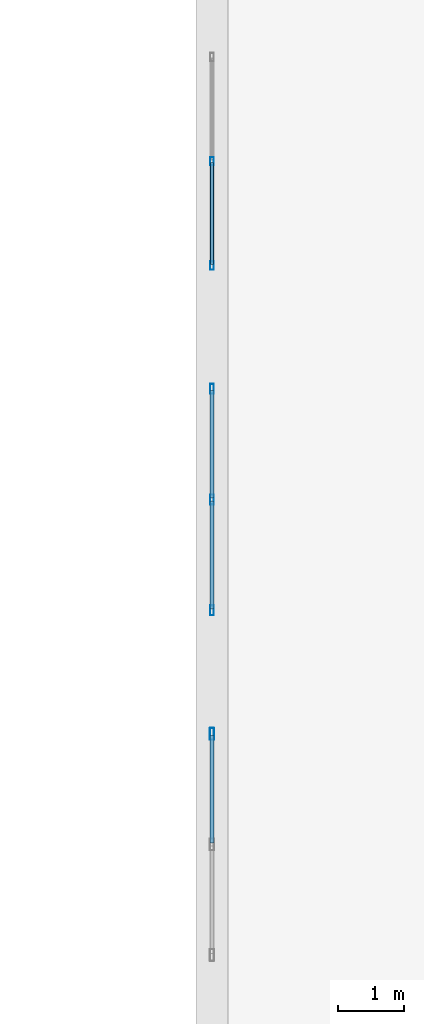
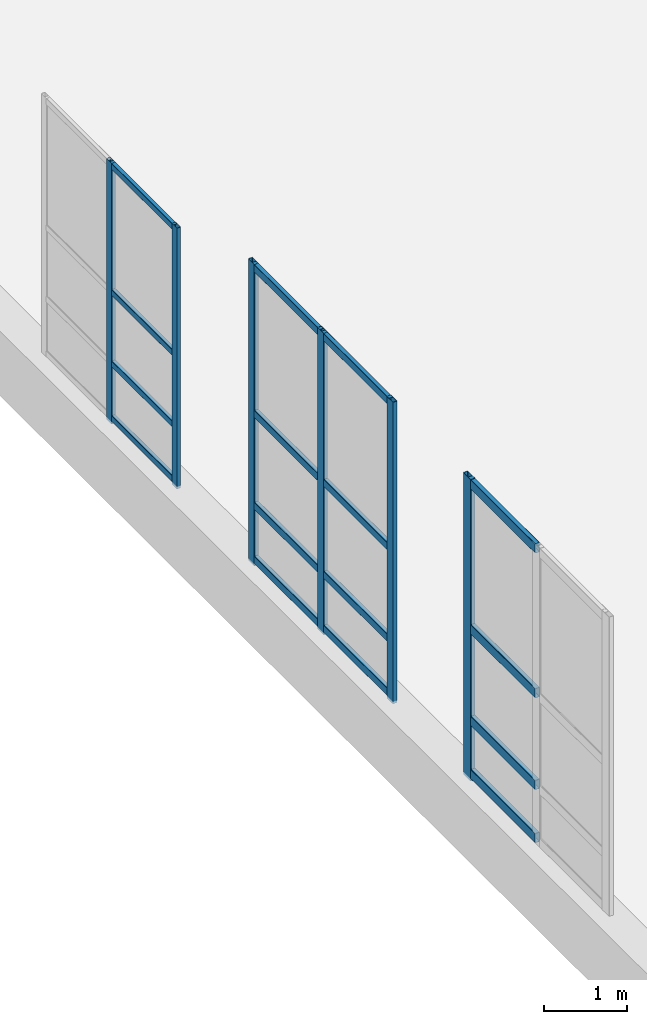
# One storey, part 13 of 197: 22 members, 3 elements without a shape of their own.
"""IFC4 building model written with IfcOpenShell, lengths in metres."""

from ifc_helpers import new_model, si_unit, derived_unit, direction, frame, origin, origin_2d, place, context, subcontext, project, spatial, hollow_rectangle, extrude, material, layer, layer_set, material_profile, profile_set, type_object, element, aggregate, save


model = new_model("IFC4")

# Units and contexts
model_context = context("Model", 3, precision=1e-05, world=origin(), true_north=direction((0.0, 1.0)))
body_context = subcontext(model_context, "Body", "Model", "MODEL_VIEW")
ifc_project = project(units=[si_unit("LENGTHUNIT", "METRE"), si_unit("AREAUNIT", "SQUARE_METRE"), si_unit("VOLUMEUNIT", "CUBIC_METRE"), si_unit("PLANEANGLEUNIT", "RADIAN"), si_unit("MASSUNIT", "GRAM", prefix="KILO"), derived_unit("THERMALTRANSMITTANCEUNIT", [(si_unit("POWERUNIT", "WATT"), 1), (si_unit("LENGTHUNIT", "METRE"), -2), (si_unit("THERMODYNAMICTEMPERATUREUNIT", "KELVIN"), -1)])], contexts=[model_context])

# Site, building, storey
site_placement = place(None, origin())
site = spatial("IfcSite", under=ifc_project, at=site_placement, CompositionType="ELEMENT")
building_placement = place(site_placement, origin())
building = spatial("IfcBuilding", under=site, at=building_placement, Name="Almenara Railside Exhibition Hall", CompositionType="ELEMENT")
storey_placement = place(building_placement, frame((0.0, 0.0, 5.39990234375)))
storey = spatial("IfcBuildingStorey", under=building, at=storey_placement, Name="L01", CompositionType="ELEMENT", Elevation=5.39990234375)

# Curtain wall, members
ifc_material_1 = material(Name="Bronze-anodised aluminium and low-E double glazing", Category="aluminium")
ifc_layer_1 = layer(ifc_material_1, 0.179931640625, Name="Bronze-anodised aluminium and low-E double glazing")
ifc_layer_set_1 = layer_set([ifc_layer_1], Name="Bronze-anodised aluminium and low-E double glazing")
curtain_wall_type_1 = type_object("IfcCurtainWallType", Name="Scroll Gable Side Curtain Wall 3200x3800", PredefinedType="NOTDEFINED", material=ifc_layer_set_1)
curtain_wall_1_placement = place(storey_placement, origin())
curtain_wall_1 = element("IfcCurtainWall", 1, at=curtain_wall_1_placement, inside=storey, type_object=curtain_wall_type_1, Name="Curtain wall CW-G4-111", PredefinedType="NOTDEFINED")
ifc_material_2 = material(Name="Bronze-anodised aluminium", Category="aluminium")
ifc_material_profile_1 = material_profile(ifc_material_2, hollow_rectangle(XDim=0.054931640625, YDim=0.125, WallThickness=0.0029296875, InnerFilletRadius=0.0029296875, OuterFilletRadius=0.006103515625, at=origin_2d()), Name="ALU-MUL 55x125x3")
ifc_profile_set_1 = profile_set([ifc_material_profile_1], Name="Bronze-anodised aluminium")
member_type_1 = type_object("IfcMemberType", Name="Curtain Wall Mullion 55x125x3", PredefinedType="MULLION", material=ifc_profile_set_1)
member_1_placement = place(storey_placement, frame((3.0, 24.327392578125, 0.9150390625), z_axis=(0.0, 0.0, 1.0), x_axis=(-1.0, 0.0, 0.0)))
member_1 = element("IfcMember", 2, at=member_1_placement, type_object=member_type_1, Name="CW-G4-111 mullion 1", PredefinedType="MULLION", context=body_context, shape_type="SweptSolid", body=[
    extrude(hollow_rectangle(XDim=0.054931640625, YDim=0.125, WallThickness=0.0029296875, InnerFilletRadius=0.0029296875, OuterFilletRadius=0.006103515625, at=origin_2d()), origin(), (0.0, 0.0, 1.0), 3.8349609375),
])
member_2_placement = place(storey_placement, frame((3.0, 25.89990234375, 0.9150390625), z_axis=(0.0, 0.0, 1.0), x_axis=(-1.0, 0.0, 0.0)))
member_2 = element("IfcMember", 3, at=member_2_placement, type_object=member_type_1, Name="CW-G4-111 mullion 2", PredefinedType="MULLION", context=body_context, shape_type="SweptSolid", body=[
    extrude(hollow_rectangle(XDim=0.054931640625, YDim=0.125, WallThickness=0.0029296875, InnerFilletRadius=0.0029296875, OuterFilletRadius=0.006103515625, at=origin_2d()), origin(), (0.0, 0.0, 1.0), 3.8349609375),
])

ifc_layer_2 = layer(ifc_material_1, 0.179931640625, Name="Bronze-anodised aluminium and low-E double glazing")
ifc_layer_set_2 = layer_set([ifc_layer_2], Name="Bronze-anodised aluminium and low-E double glazing")
curtain_wall_type_2 = type_object("IfcCurtainWallType", Name="Scroll Gable Mid Curtain Wall 3400x4400", PredefinedType="NOTDEFINED", material=ifc_layer_set_2)
curtain_wall_2_placement = place(storey_placement, origin())
curtain_wall_2 = element("IfcCurtainWall", 4, at=curtain_wall_2_placement, inside=storey, type_object=curtain_wall_type_2, Name="Curtain wall CW-G3-110", PredefinedType="NOTDEFINED")
ifc_material_profile_2 = material_profile(ifc_material_2, hollow_rectangle(XDim=0.06005859375, YDim=0.14990234375, WallThickness=0.00341796875, InnerFilletRadius=0.00341796875, OuterFilletRadius=0.007080078125, at=origin_2d()), Name="ALU-MUL 60x150x3.5")
ifc_profile_set_2 = profile_set([ifc_material_profile_2], Name="Bronze-anodised aluminium")
member_type_2 = type_object("IfcMemberType", Name="Curtain Wall Mullion 60x150x3.5", PredefinedType="MULLION", material=ifc_profile_set_2)
member_3_placement = place(storey_placement, frame((3.0, 19.1298828125, 0.9150390625), z_axis=(0.0, 0.0, 1.0), x_axis=(-1.0, 0.0, 0.0)))
member_3 = element("IfcMember", 5, at=member_3_placement, type_object=member_type_2, Name="CW-G3-110 mullion 1", PredefinedType="MULLION", context=body_context, shape_type="SweptSolid", body=[
    extrude(hollow_rectangle(XDim=0.06005859375, YDim=0.14990234375, WallThickness=0.00341796875, InnerFilletRadius=0.00341796875, OuterFilletRadius=0.007080078125, at=origin_2d()), origin(), (0.0, 0.0, 1.0), 4.43505859375),
])
member_4_placement = place(storey_placement, frame((3.0, 20.800048828125, 0.9150390625), z_axis=(0.0, 0.0, 1.0), x_axis=(-1.0, 0.0, 0.0)))
member_4 = element("IfcMember", 6, at=member_4_placement, type_object=member_type_2, Name="CW-G3-110 mullion 2", PredefinedType="MULLION", context=body_context, shape_type="SweptSolid", body=[
    extrude(hollow_rectangle(XDim=0.06005859375, YDim=0.14990234375, WallThickness=0.00341796875, InnerFilletRadius=0.00341796875, OuterFilletRadius=0.007080078125, at=origin_2d()), origin(), (0.0, 0.0, 1.0), 4.43505859375),
])
member_5_placement = place(storey_placement, frame((3.0, 22.469970703125, 0.9150390625), z_axis=(0.0, 0.0, 1.0), x_axis=(-1.0, 0.0, 0.0)))
member_5 = element("IfcMember", 7, at=member_5_placement, type_object=member_type_2, Name="CW-G3-110 mullion 3", PredefinedType="MULLION", context=body_context, shape_type="SweptSolid", body=[
    extrude(hollow_rectangle(XDim=0.06005859375, YDim=0.14990234375, WallThickness=0.00341796875, InnerFilletRadius=0.00341796875, OuterFilletRadius=0.007080078125, at=origin_2d()), origin(), (0.0, 0.0, 1.0), 4.43505859375),
])

# Curtain wall, member
curtain_wall_3_placement = place(storey_placement, origin())
curtain_wall_3 = element("IfcCurtainWall", 8, at=curtain_wall_3_placement, inside=storey, type_object=curtain_wall_type_2, Name="Curtain wall CW-G3-109", PredefinedType="NOTDEFINED")
ifc_material_profile_3 = material_profile(ifc_material_2, hollow_rectangle(XDim=0.06494140625, YDim=0.179931640625, WallThickness=0.00390625, InnerFilletRadius=0.00390625, OuterFilletRadius=0.008056640625, at=origin_2d()), Name="ALU-MUL 65x180x4")
ifc_profile_set_3 = profile_set([ifc_material_profile_3], Name="Bronze-anodised aluminium")
member_type_3 = type_object("IfcMemberType", Name="Curtain Wall Mullion 65x180x4", PredefinedType="MULLION", material=ifc_profile_set_3)
member_6_placement = place(storey_placement, frame((3.0, 17.267578125, 0.9150390625), z_axis=(0.0, 0.0, 1.0), x_axis=(-1.0, 0.0, 0.0)))
member_6 = element("IfcMember", 9, at=member_6_placement, type_object=member_type_3, Name="CW-G3-109 mullion 3", PredefinedType="MULLION", context=body_context, shape_type="SweptSolid", body=[
    extrude(hollow_rectangle(XDim=0.06494140625, YDim=0.179931640625, WallThickness=0.00390625, InnerFilletRadius=0.00390625, OuterFilletRadius=0.008056640625, at=origin_2d()), origin(), (0.0, 0.0, 1.0), 4.43505859375),
])

# Member
ifc_material_profile_4 = material_profile(ifc_material_2, hollow_rectangle(XDim=0.054931640625, YDim=0.090087890625, WallThickness=0.0029296875, InnerFilletRadius=0.0029296875, OuterFilletRadius=0.006103515625, at=origin_2d()), Name="ALU-TRN 55x90x3")
ifc_profile_set_4 = profile_set([ifc_material_profile_4], Name="Bronze-anodised aluminium")
member_type_4 = type_object("IfcMemberType", Name="Curtain Wall Transom 55x90x3", PredefinedType="USERDEFINED", material=ifc_profile_set_4)
member_7_placement = place(storey_placement, frame((3.0, 24.346923828125, 0.9951171875), z_axis=(0.0, 1.0, 0.0), x_axis=(-1.0, 0.0, 0.0)))
member_7 = element("IfcMember", 10, at=member_7_placement, type_object=member_type_4, Name="CW-G4-111 transom 1.1", ObjectType="TRANSOM", PredefinedType="USERDEFINED", context=body_context, shape_type="SweptSolid", body=[
    extrude(hollow_rectangle(XDim=0.054931640625, YDim=0.090087890625, WallThickness=0.0029296875, InnerFilletRadius=0.0029296875, OuterFilletRadius=0.006103515625, at=origin_2d()), origin(), (0.0, 0.0, 1.0), 1.53369140625),
])

member_8_placement = place(storey_placement, frame((3.0, 24.346923828125, 1.800048828125), z_axis=(0.0, 1.0, 0.0), x_axis=(-1.0, 0.0, 0.0)))
member_8 = element("IfcMember", 11, at=member_8_placement, type_object=member_type_4, Name="CW-G4-111 transom 1.2", ObjectType="TRANSOM", PredefinedType="USERDEFINED", context=body_context, shape_type="SweptSolid", body=[
    extrude(hollow_rectangle(XDim=0.054931640625, YDim=0.090087890625, WallThickness=0.0029296875, InnerFilletRadius=0.0029296875, OuterFilletRadius=0.006103515625, at=origin_2d()), origin(), (0.0, 0.0, 1.0), 1.53369140625),
])

member_9_placement = place(storey_placement, frame((3.0, 24.346923828125, 2.85009765625), z_axis=(0.0, 1.0, 0.0), x_axis=(-1.0, 0.0, 0.0)))
member_9 = element("IfcMember", 12, at=member_9_placement, type_object=member_type_4, Name="CW-G4-111 transom 1.3", ObjectType="TRANSOM", PredefinedType="USERDEFINED", context=body_context, shape_type="SweptSolid", body=[
    extrude(hollow_rectangle(XDim=0.054931640625, YDim=0.090087890625, WallThickness=0.0029296875, InnerFilletRadius=0.0029296875, OuterFilletRadius=0.006103515625, at=origin_2d()), origin(), (0.0, 0.0, 1.0), 1.53369140625),
])

member_10_placement = place(storey_placement, frame((3.0, 24.346923828125, 4.705078125), z_axis=(0.0, 1.0, 0.0), x_axis=(-1.0, 0.0, 0.0)))
member_10 = element("IfcMember", 13, at=member_10_placement, type_object=member_type_4, Name="CW-G4-111 transom 1.4", ObjectType="TRANSOM", PredefinedType="USERDEFINED", context=body_context, shape_type="SweptSolid", body=[
    extrude(hollow_rectangle(XDim=0.054931640625, YDim=0.090087890625, WallThickness=0.0029296875, InnerFilletRadius=0.0029296875, OuterFilletRadius=0.006103515625, at=origin_2d()), origin(), (0.0, 0.0, 1.0), 1.53369140625),
])

aggregate(curtain_wall_1, [member_1, member_2, member_7, member_8, member_9, member_10])

ifc_material_profile_5 = material_profile(ifc_material_2, hollow_rectangle(XDim=0.06005859375, YDim=0.110107421875, WallThickness=0.0029296875, InnerFilletRadius=0.0029296875, OuterFilletRadius=0.006103515625, at=origin_2d()), Name="ALU-TRN 60x110x3")
ifc_profile_set_5 = profile_set([ifc_material_profile_5], Name="Bronze-anodised aluminium")
member_type_5 = type_object("IfcMemberType", Name="Curtain Wall Transom 60x110x3", PredefinedType="USERDEFINED", material=ifc_profile_set_5)
member_11_placement = place(storey_placement, frame((3.0, 19.152099609375, 1.005126953125), z_axis=(0.0, 1.0, 0.0), x_axis=(-1.0, 0.0, 0.0)))
member_11 = element("IfcMember", 14, at=member_11_placement, type_object=member_type_5, Name="CW-G3-110 transom 1.1", ObjectType="TRANSOM", PredefinedType="USERDEFINED", context=body_context, shape_type="SweptSolid", body=[
    extrude(hollow_rectangle(XDim=0.06005859375, YDim=0.110107421875, WallThickness=0.0029296875, InnerFilletRadius=0.0029296875, OuterFilletRadius=0.006103515625, at=origin_2d()), origin(), (0.0, 0.0, 1.0), 1.6259765625),
])

member_12_placement = place(storey_placement, frame((3.0, 19.152099609375, 1.800048828125), z_axis=(0.0, 1.0, 0.0), x_axis=(-1.0, 0.0, 0.0)))
member_12 = element("IfcMember", 15, at=member_12_placement, type_object=member_type_5, Name="CW-G3-110 transom 1.2", ObjectType="TRANSOM", PredefinedType="USERDEFINED", context=body_context, shape_type="SweptSolid", body=[
    extrude(hollow_rectangle(XDim=0.06005859375, YDim=0.110107421875, WallThickness=0.0029296875, InnerFilletRadius=0.0029296875, OuterFilletRadius=0.006103515625, at=origin_2d()), origin(), (0.0, 0.0, 1.0), 1.6259765625),
])

member_13_placement = place(storey_placement, frame((3.0, 19.152099609375, 3.150146484375), z_axis=(0.0, 1.0, 0.0), x_axis=(-1.0, 0.0, 0.0)))
member_13 = element("IfcMember", 16, at=member_13_placement, type_object=member_type_5, Name="CW-G3-110 transom 1.3", ObjectType="TRANSOM", PredefinedType="USERDEFINED", context=body_context, shape_type="SweptSolid", body=[
    extrude(hollow_rectangle(XDim=0.06005859375, YDim=0.110107421875, WallThickness=0.0029296875, InnerFilletRadius=0.0029296875, OuterFilletRadius=0.006103515625, at=origin_2d()), origin(), (0.0, 0.0, 1.0), 1.6259765625),
])

member_14_placement = place(storey_placement, frame((3.0, 19.152099609375, 5.295166015625), z_axis=(0.0, 1.0, 0.0), x_axis=(-1.0, 0.0, 0.0)))
member_14 = element("IfcMember", 17, at=member_14_placement, type_object=member_type_5, Name="CW-G3-110 transom 1.4", ObjectType="TRANSOM", PredefinedType="USERDEFINED", context=body_context, shape_type="SweptSolid", body=[
    extrude(hollow_rectangle(XDim=0.06005859375, YDim=0.110107421875, WallThickness=0.0029296875, InnerFilletRadius=0.0029296875, OuterFilletRadius=0.006103515625, at=origin_2d()), origin(), (0.0, 0.0, 1.0), 1.6259765625),
])

member_15_placement = place(storey_placement, frame((3.0, 20.822021484375, 1.005126953125), z_axis=(0.0, 1.0, 0.0), x_axis=(-1.0, 0.0, 0.0)))
member_15 = element("IfcMember", 18, at=member_15_placement, type_object=member_type_5, Name="CW-G3-110 transom 2.1", ObjectType="TRANSOM", PredefinedType="USERDEFINED", context=body_context, shape_type="SweptSolid", body=[
    extrude(hollow_rectangle(XDim=0.06005859375, YDim=0.110107421875, WallThickness=0.0029296875, InnerFilletRadius=0.0029296875, OuterFilletRadius=0.006103515625, at=origin_2d()), origin(), (0.0, 0.0, 1.0), 1.6259765625),
])

member_16_placement = place(storey_placement, frame((3.0, 20.822021484375, 1.800048828125), z_axis=(0.0, 1.0, 0.0), x_axis=(-1.0, 0.0, 0.0)))
member_16 = element("IfcMember", 19, at=member_16_placement, type_object=member_type_5, Name="CW-G3-110 transom 2.2", ObjectType="TRANSOM", PredefinedType="USERDEFINED", context=body_context, shape_type="SweptSolid", body=[
    extrude(hollow_rectangle(XDim=0.06005859375, YDim=0.110107421875, WallThickness=0.0029296875, InnerFilletRadius=0.0029296875, OuterFilletRadius=0.006103515625, at=origin_2d()), origin(), (0.0, 0.0, 1.0), 1.6259765625),
])

member_17_placement = place(storey_placement, frame((3.0, 20.822021484375, 3.150146484375), z_axis=(0.0, 1.0, 0.0), x_axis=(-1.0, 0.0, 0.0)))
member_17 = element("IfcMember", 20, at=member_17_placement, type_object=member_type_5, Name="CW-G3-110 transom 2.3", ObjectType="TRANSOM", PredefinedType="USERDEFINED", context=body_context, shape_type="SweptSolid", body=[
    extrude(hollow_rectangle(XDim=0.06005859375, YDim=0.110107421875, WallThickness=0.0029296875, InnerFilletRadius=0.0029296875, OuterFilletRadius=0.006103515625, at=origin_2d()), origin(), (0.0, 0.0, 1.0), 1.6259765625),
])

member_18_placement = place(storey_placement, frame((3.0, 20.822021484375, 5.295166015625), z_axis=(0.0, 1.0, 0.0), x_axis=(-1.0, 0.0, 0.0)))
member_18 = element("IfcMember", 21, at=member_18_placement, type_object=member_type_5, Name="CW-G3-110 transom 2.4", ObjectType="TRANSOM", PredefinedType="USERDEFINED", context=body_context, shape_type="SweptSolid", body=[
    extrude(hollow_rectangle(XDim=0.06005859375, YDim=0.110107421875, WallThickness=0.0029296875, InnerFilletRadius=0.0029296875, OuterFilletRadius=0.006103515625, at=origin_2d()), origin(), (0.0, 0.0, 1.0), 1.6259765625),
])

aggregate(curtain_wall_2, [member_3, member_4, member_5, member_11, member_12, member_13, member_14, member_15, member_16, member_17, member_18])

ifc_material_profile_6 = material_profile(ifc_material_2, hollow_rectangle(XDim=0.06494140625, YDim=0.139892578125, WallThickness=0.00341796875, InnerFilletRadius=0.00341796875, OuterFilletRadius=0.007080078125, at=origin_2d()), Name="ALU-TRN 65x140x3.5")
ifc_profile_set_6 = profile_set([ifc_material_profile_6], Name="Bronze-anodised aluminium")
member_type_6 = type_object("IfcMemberType", Name="Curtain Wall Transom 65x140x3.5", PredefinedType="USERDEFINED", material=ifc_profile_set_6)
member_19_placement = place(storey_placement, frame((3.0, 15.62451171875, 1.02001953125), z_axis=(0.0, 1.0, 0.0), x_axis=(-1.0, 0.0, 0.0)))
member_19 = element("IfcMember", 22, at=member_19_placement, type_object=member_type_6, Name="CW-G3-109 transom 2.1", ObjectType="TRANSOM", PredefinedType="USERDEFINED", context=body_context, shape_type="SweptSolid", body=[
    extrude(hollow_rectangle(XDim=0.06494140625, YDim=0.139892578125, WallThickness=0.00341796875, InnerFilletRadius=0.00341796875, OuterFilletRadius=0.007080078125, at=origin_2d()), origin(), (0.0, 0.0, 1.0), 1.618408203125),
])

member_20_placement = place(storey_placement, frame((3.0, 15.62451171875, 1.800048828125), z_axis=(0.0, 1.0, 0.0), x_axis=(-1.0, 0.0, 0.0)))
member_20 = element("IfcMember", 23, at=member_20_placement, type_object=member_type_6, Name="CW-G3-109 transom 2.2", ObjectType="TRANSOM", PredefinedType="USERDEFINED", context=body_context, shape_type="SweptSolid", body=[
    extrude(hollow_rectangle(XDim=0.06494140625, YDim=0.139892578125, WallThickness=0.00341796875, InnerFilletRadius=0.00341796875, OuterFilletRadius=0.007080078125, at=origin_2d()), origin(), (0.0, 0.0, 1.0), 1.618408203125),
])

member_21_placement = place(storey_placement, frame((3.0, 15.62451171875, 3.150146484375), z_axis=(0.0, 1.0, 0.0), x_axis=(-1.0, 0.0, 0.0)))
member_21 = element("IfcMember", 24, at=member_21_placement, type_object=member_type_6, Name="CW-G3-109 transom 2.3", ObjectType="TRANSOM", PredefinedType="USERDEFINED", context=body_context, shape_type="SweptSolid", body=[
    extrude(hollow_rectangle(XDim=0.06494140625, YDim=0.139892578125, WallThickness=0.00341796875, InnerFilletRadius=0.00341796875, OuterFilletRadius=0.007080078125, at=origin_2d()), origin(), (0.0, 0.0, 1.0), 1.618408203125),
])

member_22_placement = place(storey_placement, frame((3.0, 15.62451171875, 5.280029296875), z_axis=(0.0, 1.0, 0.0), x_axis=(-1.0, 0.0, 0.0)))
member_22 = element("IfcMember", 25, at=member_22_placement, type_object=member_type_6, Name="CW-G3-109 transom 2.4", ObjectType="TRANSOM", PredefinedType="USERDEFINED", context=body_context, shape_type="SweptSolid", body=[
    extrude(hollow_rectangle(XDim=0.06494140625, YDim=0.139892578125, WallThickness=0.00341796875, InnerFilletRadius=0.00341796875, OuterFilletRadius=0.007080078125, at=origin_2d()), origin(), (0.0, 0.0, 1.0), 1.618408203125),
])

aggregate(curtain_wall_3, [member_6, member_19, member_20, member_21, member_22])

save(model, "model.ifc")
